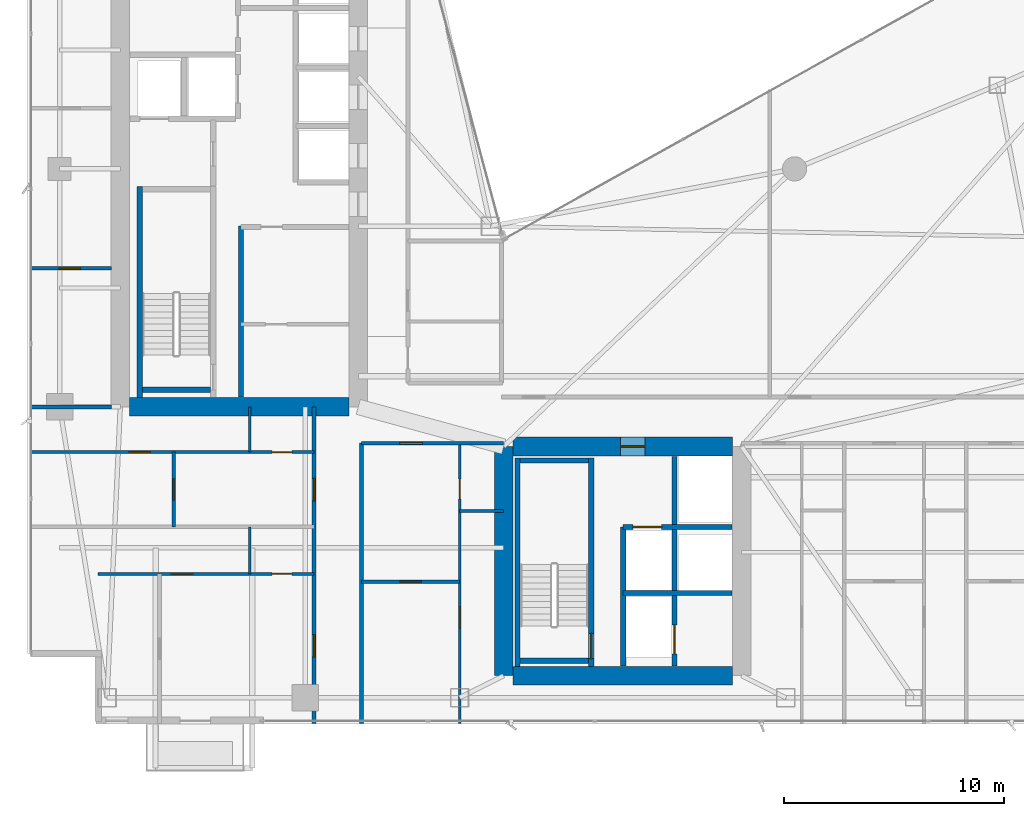
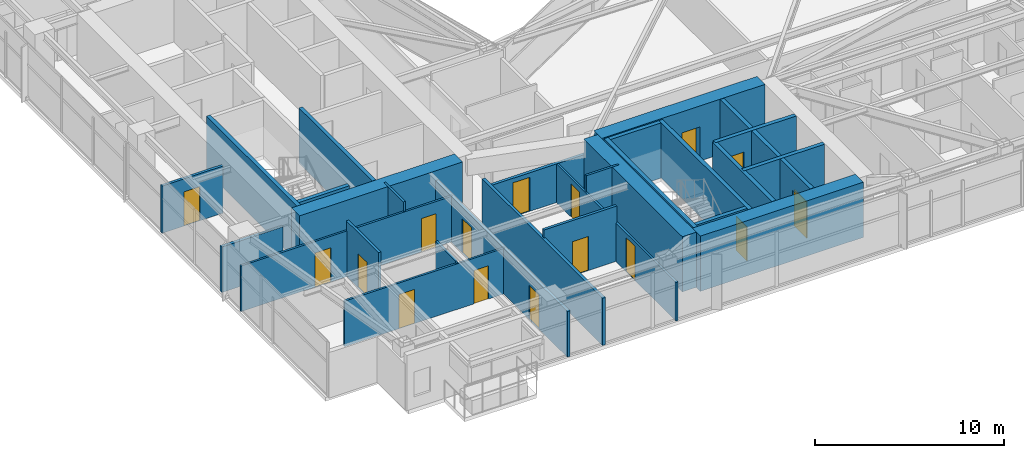
# One storey, part 22 of 29: 28 walls, 16 doors, 16 openings.
"""IFC4 building model written with IfcOpenShell, lengths in metres."""

from ifc_helpers import new_model, si_unit, direction, frame, frame_2d, origin, place, context, subcontext, project, spatial, rectangle, extrude, material, layer, layer_set, type_object, element, fill, save


model = new_model("IFC4")

# Units and contexts
model_context = context("Model", 3, precision=1e-05, world=origin(), true_north=direction((0.0, 1.0)))
body_context = subcontext(model_context, "Body", "Model", "MODEL_VIEW")
ifc_project = project(units=[si_unit("LENGTHUNIT", "METRE"), si_unit("AREAUNIT", "SQUARE_METRE"), si_unit("VOLUMEUNIT", "CUBIC_METRE"), si_unit("PLANEANGLEUNIT", "RADIAN"), si_unit("MASSUNIT", "GRAM", prefix="KILO")], contexts=[model_context])

# Site, building, storey
site_placement = place(None, origin())
site = spatial("IfcSite", under=ifc_project, at=site_placement, CompositionType="ELEMENT")
building_placement = place(site_placement, origin())
building = spatial("IfcBuilding", under=site, at=building_placement, Name="Calvorn Quay Hotel", CompositionType="ELEMENT")
storey_placement = place(building_placement, frame((0.0, 0.0, 171.300048828125)))
storey = spatial("IfcBuildingStorey", under=building, at=storey_placement, Name="L42", CompositionType="ELEMENT", Elevation=171.300048828125)

# Walls
ifc_material_1 = material(Name="Concrete C50", Category="concrete")
ifc_layer_1 = layer(ifc_material_1, 0.85009765625)
ifc_layer_set_1 = layer_set([ifc_layer_1], Name="WL-CORE-850")
wall_type_1 = type_object("IfcWallType", Name="WL-CORE-850", PredefinedType="SHEAR", material=ifc_layer_set_1)
wall_1_placement = place(storey_placement, frame((4.625, 16.800048828125, 0.0), z_axis=(0.0, 0.0, 1.0), x_axis=(1.0, 0.0, 0.0)))
element("IfcWall", 1, at=wall_1_placement, inside=storey, type_object=wall_type_1, Name="West Core Shear Wall S (L42)", PredefinedType="SHEAR", context=body_context, shape_type="SweptSolid", body=[
    extrude(rectangle(XDim=9.949951171875, YDim=0.85009765625, at=frame_2d((4.97509765625, 0.0))), origin(), (0.0, 0.0, 1.0), 3.56005859375),
])
wall_2_placement = place(storey_placement, frame((21.60009765625, 4.60009765625, 0.0), z_axis=(0.0, 0.0, 1.0), x_axis=(0.0, 1.0, 0.0)))
element("IfcWall", 2, at=wall_2_placement, inside=storey, type_object=wall_type_1, Name="East Core Shear Wall W (L42)", PredefinedType="SHEAR", context=body_context, shape_type="SweptSolid", body=[
    extrude(rectangle(XDim=10.39990234375, YDim=0.85009765625, at=frame_2d((5.199951171875, 0.0))), origin(), (0.0, 0.0, 1.0), 3.56005859375),
])

# Wall, opening, door
wall_3_placement = place(storey_placement, frame((22.02490234375, 15.0, 0.0), z_axis=(0.0, 0.0, 1.0), x_axis=(1.0, 0.0, 0.0)))
wall_3 = element("IfcWall", 3, at=wall_3_placement, inside=storey, type_object=wall_type_1, Name="East Core Shear Wall N (L42)", PredefinedType="SHEAR", context=body_context, shape_type="SweptSolid", body=[
    extrude(rectangle(XDim=9.9501953125, YDim=0.85009765625, at=frame_2d((4.97509765625, 0.0))), origin(), (0.0, 0.0, 1.0), 3.56005859375),
])
opening_1_placement = place(wall_3_placement, frame((4.8798828125, 0.0, 0.0)))
opening_1 = element("IfcOpeningElement", 4, at=opening_1_placement, cuts=wall_3, Name="Opening D-L42-FLE", PredefinedType="OPENING", context=body_context, shape_type="SweptSolid", body=[
    extrude(rectangle(XDim=1.10009765625, YDim=2.199951171875, at=frame_2d((0.550048828125, 1.10009765625))), frame((0.0, 0.43505859375, 0.0), z_axis=(0.0, -1.0, 0.0), x_axis=(1.0, 0.0, 0.0)), (0.0, 0.0, 1.0), 0.8701171875),
])
ifc_material_2 = material(Name="Smoke-Sealed Steel Class A Fire Door", Category="steel")
door_type_1 = type_object("IfcDoorType", Name="DR-FFLOBBY-1100", OperationType="NOTDEFINED", PredefinedType="DOOR", material=ifc_material_2)
door_1_placement = place(opening_1_placement, origin())
door_1 = element("IfcDoor", 5, at=door_1_placement, inside=storey, type_object=door_type_1, Name="East Firefighting Lobby Fire Door (L42)", OperationType="SINGLE_SWING_RIGHT", OverallHeight=2.199951171875, OverallWidth=1.10009765625, PredefinedType="DOOR", context=body_context, shape_type="SweptSolid", body=[
    extrude(rectangle(XDim=1.10009765625, YDim=2.199951171875, at=frame_2d((0.550048828125, 1.10009765625))), frame((0.0, 0.02490234375, 0.0), z_axis=(0.0, -1.0, 0.0), x_axis=(1.0, 0.0, 0.0)), (0.0, 0.0, 1.0), 0.050048828125),
])
fill(opening_1, door_1)

# Walls
wall_4_placement = place(storey_placement, frame((22.02490234375, 4.60009765625, 0.0), z_axis=(0.0, 0.0, 1.0), x_axis=(1.0, 0.0, 0.0)))
element("IfcWall", 6, at=wall_4_placement, inside=storey, type_object=wall_type_1, Name="East Core Shear Wall S (L42)", PredefinedType="SHEAR", context=body_context, shape_type="SweptSolid", body=[
    extrude(rectangle(XDim=9.9501953125, YDim=0.85009765625, at=frame_2d((4.97509765625, 0.0))), origin(), (0.0, 0.0, 1.0), 3.56005859375),
])
ifc_material_3 = material(Name="Acoustic Fireboard Steel-Stud Partition", Category="steel")
ifc_layer_2 = layer(ifc_material_3, 0.179931640625)
ifc_layer_set_2 = layer_set([ifc_layer_2], Name="WL-CORR-FIRE-180")
wall_type_2 = type_object("IfcWallType", Name="WL-CORR-FIRE-180", PredefinedType="PARTITIONING", material=ifc_layer_set_2)
wall_5_placement = place(storey_placement, frame((0.080078125, 16.800048828125, 0.0), z_axis=(0.0, 0.0, 1.0), x_axis=(1.0, 0.0, 0.0)))
element("IfcWall", 7, at=wall_5_placement, inside=storey, type_object=wall_type_2, Name="Partition Wall L42-WL-WBAY-S-WALL", PredefinedType="PARTITIONING", context=body_context, shape_type="SweptSolid", body=[
    extrude(rectangle(XDim=3.724853515625, YDim=0.179931640625, at=frame_2d((1.8623046875, 0.0))), origin(), (0.0, 0.0, 1.0), 2.93994140625),
])

# Wall, openings, doors
wall_6_placement = place(storey_placement, frame((13.0, 2.43994140625, 0.0), z_axis=(0.0, 0.0, 1.0), x_axis=(0.0, 1.0, 0.0)))
wall_6 = element("IfcWall", 8, at=wall_6_placement, inside=storey, type_object=wall_type_2, Name="Partition Wall L42-WL-CORR-SW-LEG-W", PredefinedType="PARTITIONING", context=body_context, shape_type="SweptSolid", body=[
    extrude(rectangle(XDim=14.360107421875, YDim=0.179931640625, at=frame_2d((7.18017578125, 0.0))), origin(), (0.0, 0.0, 1.0), 2.93994140625),
])
opening_2_placement = place(wall_6_placement, frame((3.010009765625, 0.0, 0.0)))
opening_2 = element("IfcOpeningElement", 9, at=opening_2_placement, cuts=wall_6, Name="Opening D-L42-U01", PredefinedType="OPENING", context=body_context, shape_type="SweptSolid", body=[
    extrude(rectangle(XDim=1.02001953125, YDim=2.199951171875, at=frame_2d((0.510009765625, 1.10009765625))), frame((0.0, 0.099853515625, 0.0), z_axis=(0.0, -1.0, 0.0), x_axis=(1.0, 0.0, 0.0)), (0.0, 0.0, 1.0), 0.199951171875),
])
opening_3_placement = place(wall_6_placement, frame((10.10009765625, 0.0, 0.0)))
opening_3 = element("IfcOpeningElement", 10, at=opening_3_placement, cuts=wall_6, Name="Opening D-L42-U02", PredefinedType="OPENING", context=body_context, shape_type="SweptSolid", body=[
    extrude(rectangle(XDim=1.02001953125, YDim=2.199951171875, at=frame_2d((0.510009765625, 1.10009765625))), frame((0.0, 0.099853515625, 0.0), z_axis=(0.0, -1.0, 0.0), x_axis=(1.0, 0.0, 0.0)), (0.0, 0.0, 1.0), 0.199951171875),
])
ifc_material_4 = material(Name="Solid-Core Walnut Veneer Hotel Fire Door")
door_type_2 = type_object("IfcDoorType", Name="DR-GUEST-ENTRY-1020", OperationType="NOTDEFINED", PredefinedType="DOOR", material=ifc_material_4)
door_2_placement = place(opening_2_placement, origin())
door_2 = element("IfcDoor", 11, at=door_2_placement, inside=storey, type_object=door_type_2, Name="South-West Unit Door U01 (L42)", OperationType="SINGLE_SWING_LEFT", OverallHeight=2.199951171875, OverallWidth=1.02001953125, PredefinedType="DOOR", context=body_context, shape_type="SweptSolid", body=[
    extrude(rectangle(XDim=1.02001953125, YDim=2.199951171875, at=frame_2d((0.510009765625, 1.10009765625))), frame((0.0, 0.02490234375, 0.0), z_axis=(0.0, -1.0, 0.0), x_axis=(1.0, 0.0, 0.0)), (0.0, 0.0, 1.0), 0.050048828125),
])
fill(opening_2, door_2)
door_3_placement = place(opening_3_placement, origin())
door_3 = element("IfcDoor", 12, at=door_3_placement, inside=storey, type_object=door_type_2, Name="South-West Unit Door U02 (L42)", OperationType="SINGLE_SWING_RIGHT", OverallHeight=2.199951171875, OverallWidth=1.02001953125, PredefinedType="DOOR", context=body_context, shape_type="SweptSolid", body=[
    extrude(rectangle(XDim=1.02001953125, YDim=2.199951171875, at=frame_2d((0.510009765625, 1.10009765625))), frame((0.0, 0.02490234375, 0.0), z_axis=(0.0, -1.0, 0.0), x_axis=(1.0, 0.0, 0.0)), (0.0, 0.0, 1.0), 0.050048828125),
])
fill(opening_3, door_3)

# Wall
wall_7_placement = place(storey_placement, frame((15.14990234375, 2.43994140625, 0.0), z_axis=(0.0, 0.0, 1.0), x_axis=(0.0, 1.0, 0.0)))
element("IfcWall", 13, at=wall_7_placement, inside=storey, type_object=wall_type_2, Name="Partition Wall L42-WL-CORR-SW-W", PredefinedType="PARTITIONING", context=body_context, shape_type="SweptSolid", body=[
    extrude(rectangle(XDim=12.7099609375, YDim=0.179931640625, at=frame_2d((6.35498046875, 0.0))), origin(), (0.0, 0.0, 1.0), 3.0400390625),
])

# Wall, opening, door
wall_8_placement = place(storey_placement, frame((15.14990234375, 15.14990234375, 0.0), z_axis=(0.0, 0.0, 1.0), x_axis=(1.0, 0.0, 0.0)))
wall_8 = element("IfcWall", 14, at=wall_8_placement, inside=storey, type_object=wall_type_2, Name="Partition Wall L42-WL-SC-CORR-S", PredefinedType="PARTITIONING", context=body_context, shape_type="SweptSolid", body=[
    extrude(rectangle(XDim=6.4501953125, YDim=0.179931640625, at=frame_2d((3.22509765625, 0.0))), origin(), (0.0, 0.0, 1.0), 2.489990234375),
])
opening_4_placement = place(wall_8_placement, frame((1.739990234375, 0.0, 0.0)))
opening_4 = element("IfcOpeningElement", 15, at=opening_4_placement, cuts=wall_8, Name="Opening D-L42-U03", PredefinedType="OPENING", context=body_context, shape_type="SweptSolid", body=[
    extrude(rectangle(XDim=1.02001953125, YDim=2.199951171875, at=frame_2d((0.510009765625, 1.10009765625))), frame((0.0, 0.099853515625, 0.0), z_axis=(0.0, -1.0, 0.0), x_axis=(1.0, 0.0, 0.0)), (0.0, 0.0, 1.0), 0.199951171875),
])
door_4_placement = place(opening_4_placement, origin())
door_4 = element("IfcDoor", 16, at=door_4_placement, inside=storey, type_object=door_type_2, Name="Harbour Central Unit Door (L42)", OperationType="SINGLE_SWING_LEFT", OverallHeight=2.199951171875, OverallWidth=1.02001953125, PredefinedType="DOOR", context=body_context, shape_type="SweptSolid", body=[
    extrude(rectangle(XDim=1.02001953125, YDim=2.199951171875, at=frame_2d((0.510009765625, 1.10009765625))), frame((0.0, 0.02490234375, 0.0), z_axis=(0.0, -1.0, 0.0), x_axis=(1.0, 0.0, 0.0)), (0.0, 0.0, 1.0), 0.050048828125),
])
fill(opening_4, door_4)

# Wall
ifc_material_5 = material(Name="Moisture-Resistant Tile-Backed Partition")
ifc_layer_3 = layer(ifc_material_5, 0.125)
ifc_layer_set_3 = layer_set([ifc_layer_3], Name="WL-ENSUITE-125")
wall_type_3 = type_object("IfcWallType", Name="WL-ENSUITE-125", PredefinedType="PARTITIONING", material=ifc_layer_set_3)
wall_9_placement = place(storey_placement, frame((10.080078125, 9.219970703125, 0.0), z_axis=(0.0, 0.0, 1.0), x_axis=(0.0, 1.0, 0.0)))
element("IfcWall", 17, at=wall_9_placement, inside=storey, type_object=wall_type_3, Name="Partition Wall L42-WL-U01-BDV", PredefinedType="PARTITIONING", context=body_context, shape_type="SweptSolid", body=[
    extrude(rectangle(XDim=2.130126953125, YDim=0.125, at=frame_2d((1.06494140625, 0.0))), origin(), (0.0, 0.0, 1.0), 3.08984375),
])

# Wall, openings, doors
wall_10_placement = place(storey_placement, frame((3.199951171875, 9.219970703125, 0.0), z_axis=(0.0, 0.0, 1.0), x_axis=(1.0, 0.0, 0.0)))
wall_10 = element("IfcWall", 18, at=wall_10_placement, inside=storey, type_object=wall_type_3, Name="Partition Wall L42-WL-U01-BH", PredefinedType="PARTITIONING", context=body_context, shape_type="SweptSolid", body=[
    extrude(rectangle(XDim=9.800048828125, YDim=0.125, at=frame_2d((4.89990234375, 0.0))), origin(), (0.0, 0.0, 1.0), 2.93994140625),
])
opening_5_placement = place(wall_10_placement, frame((3.320068359375, 0.0, 0.0)))
opening_5 = element("IfcOpeningElement", 19, at=opening_5_placement, cuts=wall_10, Name="Opening D-L42-S01", PredefinedType="OPENING", context=body_context, shape_type="SweptSolid", body=[
    extrude(rectangle(XDim=0.9599609375, YDim=2.199951171875, at=frame_2d((0.47998046875, 1.10009765625))), frame((0.0, 0.072509765625, 0.0), z_axis=(0.0, -1.0, 0.0), x_axis=(1.0, 0.0, 0.0)), (0.0, 0.0, 1.0), 0.14501953125),
])
opening_6_placement = place(wall_10_placement, frame((7.889892578125, 0.0, 0.0)))
opening_6 = element("IfcOpeningElement", 20, at=opening_6_placement, cuts=wall_10, Name="Opening D-L42-E01", PredefinedType="OPENING", context=body_context, shape_type="SweptSolid", body=[
    extrude(rectangle(XDim=0.89990234375, YDim=2.14990234375, at=frame_2d((0.449951171875, 1.074951171875))), frame((0.0, 0.072509765625, 0.0), z_axis=(0.0, -1.0, 0.0), x_axis=(1.0, 0.0, 0.0)), (0.0, 0.0, 1.0), 0.14501953125),
])
ifc_material_6 = material(Name="Moisture-Sealed Timber En-Suite Door", Category="wood")
door_type_3 = type_object("IfcDoorType", Name="DR-ENSUITE-900", OperationType="NOTDEFINED", PredefinedType="DOOR", material=ifc_material_6)
door_5_placement = place(opening_6_placement, origin())
door_5 = element("IfcDoor", 21, at=door_5_placement, inside=storey, type_object=door_type_3, Name="En-Suite Door 01", OperationType="SINGLE_SWING_RIGHT", OverallHeight=2.14990234375, OverallWidth=0.89990234375, PredefinedType="DOOR", context=body_context, shape_type="SweptSolid", body=[
    extrude(rectangle(XDim=0.89990234375, YDim=2.14990234375, at=frame_2d((0.449951171875, 1.074951171875))), frame((0.0, 0.02490234375, 0.0), z_axis=(0.0, -1.0, 0.0), x_axis=(1.0, 0.0, 0.0)), (0.0, 0.0, 1.0), 0.050048828125),
])
fill(opening_6, door_5)
ifc_material_7 = material(Name="Solid Timber Internal Suite Door", Category="wood")
door_type_4 = type_object("IfcDoorType", Name="DR-SUITE-INT-960", OperationType="NOTDEFINED", PredefinedType="DOOR", material=ifc_material_7)
door_6_placement = place(opening_5_placement, origin())
door_6 = element("IfcDoor", 22, at=door_6_placement, inside=storey, type_object=door_type_4, Name="Private Media Cinema Door 01", OperationType="SINGLE_SWING_LEFT", OverallHeight=2.199951171875, OverallWidth=0.9599609375, PredefinedType="DOOR", context=body_context, shape_type="SweptSolid", body=[
    extrude(rectangle(XDim=0.9599609375, YDim=2.199951171875, at=frame_2d((0.47998046875, 1.10009765625))), frame((0.0, 0.02490234375, 0.0), z_axis=(0.0, -1.0, 0.0), x_axis=(1.0, 0.0, 0.0)), (0.0, 0.0, 1.0), 0.050048828125),
])
fill(opening_5, door_6)

# Wall
wall_11_placement = place(storey_placement, frame((10.080078125, 14.75, 0.0), z_axis=(0.0, 0.0, 1.0), x_axis=(0.0, 1.0, 0.0)))
element("IfcWall", 23, at=wall_11_placement, inside=storey, type_object=wall_type_3, Name="Partition Wall L42-WL-U02-BDV", PredefinedType="PARTITIONING", context=body_context, shape_type="SweptSolid", body=[
    extrude(rectangle(XDim=2.050048828125, YDim=0.125, at=frame_2d((1.02490234375, 0.0))), origin(), (0.0, 0.0, 1.0), 3.56005859375),
])

# Wall, openings, doors
wall_12_placement = place(storey_placement, frame((0.080078125, 14.75, 0.0), z_axis=(0.0, 0.0, 1.0), x_axis=(1.0, 0.0, 0.0)))
wall_12 = element("IfcWall", 24, at=wall_12_placement, inside=storey, type_object=wall_type_3, Name="Partition Wall L42-WL-U02-BH", PredefinedType="PARTITIONING", context=body_context, shape_type="SweptSolid", body=[
    extrude(rectangle(XDim=12.919921875, YDim=0.125, at=frame_2d((6.4599609375, 0.0))), origin(), (0.0, 0.0, 1.0), 2.93994140625),
])
opening_7_placement = place(wall_12_placement, frame((4.52001953125, 0.0, 0.0)))
opening_7 = element("IfcOpeningElement", 25, at=opening_7_placement, cuts=wall_12, Name="Opening D-L42-S02", PredefinedType="OPENING", context=body_context, shape_type="SweptSolid", body=[
    extrude(rectangle(XDim=0.9599609375, YDim=2.199951171875, at=frame_2d((0.47998046875, 1.10009765625))), frame((0.0, 0.072509765625, 0.0), z_axis=(0.0, -1.0, 0.0), x_axis=(1.0, 0.0, 0.0)), (0.0, 0.0, 1.0), 0.14501953125),
])
opening_8_placement = place(wall_12_placement, frame((11.010009765625, 0.0, 0.0)))
opening_8 = element("IfcOpeningElement", 26, at=opening_8_placement, cuts=wall_12, Name="Opening D-L42-E02", PredefinedType="OPENING", context=body_context, shape_type="SweptSolid", body=[
    extrude(rectangle(XDim=0.89990234375, YDim=2.14990234375, at=frame_2d((0.449951171875, 1.074951171875))), frame((0.0, 0.072509765625, 0.0), z_axis=(0.0, -1.0, 0.0), x_axis=(1.0, 0.0, 0.0)), (0.0, 0.0, 1.0), 0.14501953125),
])
door_7_placement = place(opening_8_placement, origin())
door_7 = element("IfcDoor", 27, at=door_7_placement, inside=storey, type_object=door_type_3, Name="En-Suite Door 02", OperationType="SINGLE_SWING_RIGHT", OverallHeight=2.14990234375, OverallWidth=0.89990234375, PredefinedType="DOOR", context=body_context, shape_type="SweptSolid", body=[
    extrude(rectangle(XDim=0.89990234375, YDim=2.14990234375, at=frame_2d((0.449951171875, 1.074951171875))), frame((0.0, 0.02490234375, 0.0), z_axis=(0.0, -1.0, 0.0), x_axis=(1.0, 0.0, 0.0)), (0.0, 0.0, 1.0), 0.050048828125),
])
fill(opening_8, door_7)
door_8_placement = place(opening_7_placement, origin())
door_8 = element("IfcDoor", 28, at=door_8_placement, inside=storey, type_object=door_type_4, Name="Private Media Cinema Door 02", OperationType="SINGLE_SWING_LEFT", OverallHeight=2.199951171875, OverallWidth=0.9599609375, PredefinedType="DOOR", context=body_context, shape_type="SweptSolid", body=[
    extrude(rectangle(XDim=0.9599609375, YDim=2.199951171875, at=frame_2d((0.47998046875, 1.10009765625))), frame((0.0, 0.02490234375, 0.0), z_axis=(0.0, -1.0, 0.0), x_axis=(1.0, 0.0, 0.0)), (0.0, 0.0, 1.0), 0.050048828125),
])
fill(opening_7, door_8)

# Wall
wall_13_placement = place(storey_placement, frame((19.60009765625, 12.070068359375, 0.0), z_axis=(0.0, 0.0, 1.0), x_axis=(1.0, 0.0, 0.0)))
element("IfcWall", 29, at=wall_13_placement, inside=storey, type_object=wall_type_3, Name="Partition Wall L42-WL-U03-BDV", PredefinedType="PARTITIONING", context=body_context, shape_type="SweptSolid", body=[
    extrude(rectangle(XDim=2.0, YDim=0.125, at=frame_2d((1.0, 0.0))), origin(), (0.0, 0.0, 1.0), 3.56005859375),
])

# Wall, openings, doors
wall_14_placement = place(storey_placement, frame((19.60009765625, 2.43994140625, 0.0), z_axis=(0.0, 0.0, 1.0), x_axis=(0.0, 1.0, 0.0)))
wall_14 = element("IfcWall", 30, at=wall_14_placement, inside=storey, type_object=wall_type_3, Name="Partition Wall L42-WL-U03-BV", PredefinedType="PARTITIONING", context=body_context, shape_type="SweptSolid", body=[
    extrude(rectangle(XDim=12.7099609375, YDim=0.125, at=frame_2d((6.35498046875, 0.0))), origin(), (0.0, 0.0, 1.0), 2.489990234375),
])
opening_9_placement = place(wall_14_placement, frame((4.340087890625, 0.0, 0.0)))
opening_9 = element("IfcOpeningElement", 31, at=opening_9_placement, cuts=wall_14, Name="Opening D-L42-S03", PredefinedType="OPENING", context=body_context, shape_type="SweptSolid", body=[
    extrude(rectangle(XDim=0.9599609375, YDim=2.199951171875, at=frame_2d((0.47998046875, 1.10009765625))), frame((0.0, 0.072509765625, 0.0), z_axis=(0.0, -1.0, 0.0), x_axis=(1.0, 0.0, 0.0)), (0.0, 0.0, 1.0), 0.14501953125),
])
opening_10_placement = place(wall_14_placement, frame((10.179931640625, 0.0, 0.0)))
opening_10 = element("IfcOpeningElement", 32, at=opening_10_placement, cuts=wall_14, Name="Opening D-L42-E03", PredefinedType="OPENING", context=body_context, shape_type="SweptSolid", body=[
    extrude(rectangle(XDim=0.89990234375, YDim=2.14990234375, at=frame_2d((0.449951171875, 1.074951171875))), frame((0.0, 0.072509765625, 0.0), z_axis=(0.0, -1.0, 0.0), x_axis=(1.0, 0.0, 0.0)), (0.0, 0.0, 1.0), 0.14501953125),
])
door_9_placement = place(opening_10_placement, origin())
door_9 = element("IfcDoor", 33, at=door_9_placement, inside=storey, type_object=door_type_3, Name="En-Suite Door 03", OperationType="SINGLE_SWING_RIGHT", OverallHeight=2.14990234375, OverallWidth=0.89990234375, PredefinedType="DOOR", context=body_context, shape_type="SweptSolid", body=[
    extrude(rectangle(XDim=0.89990234375, YDim=2.14990234375, at=frame_2d((0.449951171875, 1.074951171875))), frame((0.0, 0.02490234375, 0.0), z_axis=(0.0, -1.0, 0.0), x_axis=(1.0, 0.0, 0.0)), (0.0, 0.0, 1.0), 0.050048828125),
])
fill(opening_10, door_9)
door_10_placement = place(opening_9_placement, origin())
door_10 = element("IfcDoor", 34, at=door_10_placement, inside=storey, type_object=door_type_4, Name="Private Media Cinema Door 03", OperationType="SINGLE_SWING_LEFT", OverallHeight=2.199951171875, OverallWidth=0.9599609375, PredefinedType="DOOR", context=body_context, shape_type="SweptSolid", body=[
    extrude(rectangle(XDim=0.9599609375, YDim=2.199951171875, at=frame_2d((0.47998046875, 1.10009765625))), frame((0.0, 0.02490234375, 0.0), z_axis=(0.0, -1.0, 0.0), x_axis=(1.0, 0.0, 0.0)), (0.0, 0.0, 1.0), 0.050048828125),
])
fill(opening_9, door_10)

# Wall, opening, door
ifc_material_8 = material(Name="Double-Stud Acoustic Gypsum Partition")
ifc_layer_4 = layer(ifc_material_8, 0.159912109375)
ifc_layer_set_4 = layer_set([ifc_layer_4], Name="WL-INTERSUITE-160")
wall_type_4 = type_object("IfcWallType", Name="WL-INTERSUITE-160", PredefinedType="PARTITIONING", material=ifc_layer_set_4)
wall_15_placement = place(storey_placement, frame((0.080078125, 23.10009765625, 0.0), z_axis=(0.0, 0.0, 1.0), x_axis=(1.0, 0.0, 0.0)))
wall_15 = element("IfcWall", 35, at=wall_15_placement, inside=storey, type_object=wall_type_4, Name="Partition Wall L42-WL-WBAY-DIVA", PredefinedType="PARTITIONING", context=body_context, shape_type="SweptSolid", body=[
    extrude(rectangle(XDim=3.724853515625, YDim=0.159912109375, at=frame_2d((1.8623046875, 0.0))), origin(), (0.0, 0.0, 1.0), 3.0400390625),
])
opening_11_placement = place(wall_15_placement, frame((1.35009765625, 0.0, 0.0)))
opening_11 = element("IfcOpeningElement", 36, at=opening_11_placement, cuts=wall_15, Name="Opening D-L42-WBA", PredefinedType="OPENING", context=body_context, shape_type="SweptSolid", body=[
    extrude(rectangle(XDim=0.9599609375, YDim=2.199951171875, at=frame_2d((0.47998046875, 1.10009765625))), frame((0.0, 0.08984375, 0.0), z_axis=(0.0, -1.0, 0.0), x_axis=(1.0, 0.0, 0.0)), (0.0, 0.0, 1.0), 0.179931640625),
])
door_11_placement = place(opening_11_placement, origin())
door_11 = element("IfcDoor", 37, at=door_11_placement, inside=storey, type_object=door_type_4, Name="West South Connecting Door (L42)", OperationType="SINGLE_SWING_LEFT", OverallHeight=2.199951171875, OverallWidth=0.9599609375, PredefinedType="DOOR", context=body_context, shape_type="SweptSolid", body=[
    extrude(rectangle(XDim=0.9599609375, YDim=2.199951171875, at=frame_2d((0.47998046875, 1.10009765625))), frame((0.0, 0.02490234375, 0.0), z_axis=(0.0, -1.0, 0.0), x_axis=(1.0, 0.0, 0.0)), (0.0, 0.0, 1.0), 0.050048828125),
])
fill(opening_11, door_11)

wall_16_placement = place(storey_placement, frame((6.6201171875, 11.35009765625, 0.0), z_axis=(0.0, 0.0, 1.0), x_axis=(0.0, 1.0, 0.0)))
wall_16 = element("IfcWall", 38, at=wall_16_placement, inside=storey, type_object=wall_type_4, Name="Partition Wall L42-WL-U02-MSP", PredefinedType="PARTITIONING", context=body_context, shape_type="SweptSolid", body=[
    extrude(rectangle(XDim=3.39990234375, YDim=0.159912109375, at=frame_2d((1.699951171875, 0.0))), origin(), (0.0, 0.0, 1.0), 3.56005859375),
])
opening_12_placement = place(wall_16_placement, frame((1.219970703125, 0.0, 0.0)))
opening_12 = element("IfcOpeningElement", 39, at=opening_12_placement, cuts=wall_16, Name="Opening D-L42-M02", PredefinedType="OPENING", context=body_context, shape_type="SweptSolid", body=[
    extrude(rectangle(XDim=0.9599609375, YDim=2.199951171875, at=frame_2d((0.47998046875, 1.10009765625))), frame((0.0, 0.08984375, 0.0), z_axis=(0.0, -1.0, 0.0), x_axis=(1.0, 0.0, 0.0)), (0.0, 0.0, 1.0), 0.179931640625),
])
door_12_placement = place(opening_12_placement, origin())
door_12 = element("IfcDoor", 40, at=door_12_placement, inside=storey, type_object=door_type_4, Name="Suite Bedroom Door 02", OperationType="SINGLE_SWING_LEFT", OverallHeight=2.199951171875, OverallWidth=0.9599609375, PredefinedType="DOOR", context=body_context, shape_type="SweptSolid", body=[
    extrude(rectangle(XDim=0.9599609375, YDim=2.199951171875, at=frame_2d((0.47998046875, 1.10009765625))), frame((0.0, 0.02490234375, 0.0), z_axis=(0.0, -1.0, 0.0), x_axis=(1.0, 0.0, 0.0)), (0.0, 0.0, 1.0), 0.050048828125),
])
fill(opening_12, door_12)

wall_17_placement = place(storey_placement, frame((15.14990234375, 8.8701171875, 0.0), z_axis=(0.0, 0.0, 1.0), x_axis=(1.0, 0.0, 0.0)))
wall_17 = element("IfcWall", 41, at=wall_17_placement, inside=storey, type_object=wall_type_4, Name="Partition Wall L42-WL-U03-MSP", PredefinedType="PARTITIONING", context=body_context, shape_type="SweptSolid", body=[
    extrude(rectangle(XDim=4.4501953125, YDim=0.159912109375, at=frame_2d((2.22509765625, 0.0))), origin(), (0.0, 0.0, 1.0), 3.56005859375),
])
opening_13_placement = place(wall_17_placement, frame((1.75, 0.0, 0.0)))
opening_13 = element("IfcOpeningElement", 42, at=opening_13_placement, cuts=wall_17, Name="Opening D-L42-M03", PredefinedType="OPENING", context=body_context, shape_type="SweptSolid", body=[
    extrude(rectangle(XDim=0.9599609375, YDim=2.199951171875, at=frame_2d((0.47998046875, 1.10009765625))), frame((0.0, 0.08984375, 0.0), z_axis=(0.0, -1.0, 0.0), x_axis=(1.0, 0.0, 0.0)), (0.0, 0.0, 1.0), 0.179931640625),
])
door_13_placement = place(opening_13_placement, origin())
door_13 = element("IfcDoor", 43, at=door_13_placement, inside=storey, type_object=door_type_4, Name="Suite Bedroom Door 03", OperationType="SINGLE_SWING_LEFT", OverallHeight=2.199951171875, OverallWidth=0.9599609375, PredefinedType="DOOR", context=body_context, shape_type="SweptSolid", body=[
    extrude(rectangle(XDim=0.9599609375, YDim=2.199951171875, at=frame_2d((0.47998046875, 1.10009765625))), frame((0.0, 0.02490234375, 0.0), z_axis=(0.0, -1.0, 0.0), x_axis=(1.0, 0.0, 0.0)), (0.0, 0.0, 1.0), 0.050048828125),
])
fill(opening_13, door_13)

# Walls
ifc_material_9 = material(Name="Autoclaved Aerated Masonry Block", Category="masonry")
ifc_layer_5 = layer(ifc_material_9, 0.219970703125)
ifc_layer_set_5 = layer_set([ifc_layer_5], Name="WL-LOBBY-FIRE-220")
wall_type_5 = type_object("IfcWallType", Name="WL-LOBBY-FIRE-220", PredefinedType="SOLIDWALL", material=ifc_layer_set_5)
wall_18_placement = place(storey_placement, frame((9.679931640625, 17.2451171875, 0.0), z_axis=(0.0, 0.0, 1.0), x_axis=(0.0, 1.0, 0.0)))
element("IfcWall", 44, at=wall_18_placement, inside=storey, type_object=wall_type_5, Name="Partition Wall L42-WL-CWW-STW-HALL-E", PredefinedType="SOLIDWALL", context=body_context, shape_type="SweptSolid", body=[
    extrude(rectangle(XDim=7.7548828125, YDim=0.219970703125, at=frame_2d((3.87744140625, 0.0))), origin(), (0.0, 0.0, 1.0), 3.56005859375),
])
ifc_material_10 = material(Name="Concrete C40", Category="concrete")
ifc_layer_6 = layer(ifc_material_10, 0.239990234375)
ifc_layer_set_6 = layer_set([ifc_layer_6], Name="WL-SHAFT-240")
wall_type_6 = type_object("IfcWallType", Name="WL-SHAFT-240", PredefinedType="SOLIDWALL", material=ifc_layer_set_6)
wall_19_placement = place(storey_placement, frame((5.080078125, 17.22509765625, 0.0), z_axis=(0.0, 0.0, 1.0), x_axis=(0.0, 1.0, 0.0)))
element("IfcWall", 45, at=wall_19_placement, inside=storey, type_object=wall_type_6, Name="Stair STW Shaft Wall W (L42)", PredefinedType="SOLIDWALL", context=body_context, shape_type="SweptSolid", body=[
    extrude(rectangle(XDim=9.56494140625, YDim=0.239990234375, at=frame_2d((4.782470703125, 0.0))), origin(), (0.0, 0.0, 1.0), 3.56005859375),
])
wall_20_placement = place(storey_placement, frame((5.199951171875, 17.580078125, 0.0), z_axis=(0.0, 0.0, 1.0), x_axis=(1.0, 0.0, 0.0)))
element("IfcWall", 46, at=wall_20_placement, inside=storey, type_object=wall_type_6, Name="Stair STW Shaft Wall S (L42)", PredefinedType="SOLIDWALL", context=body_context, shape_type="SweptSolid", body=[
    extrude(rectangle(XDim=3.10009765625, YDim=0.239990234375, at=frame_2d((1.550048828125, 0.0))), origin(), (0.0, 0.0, 1.0), 3.56005859375),
])
wall_21_placement = place(storey_placement, frame((22.22998046875, 5.02490234375, 0.0), z_axis=(0.0, 0.0, 1.0), x_axis=(0.0, 1.0, 0.0)))
element("IfcWall", 47, at=wall_21_placement, inside=storey, type_object=wall_type_6, Name="Stair STE Shaft Wall W (L42)", PredefinedType="SOLIDWALL", context=body_context, shape_type="SweptSolid", body=[
    extrude(rectangle(XDim=9.465087890625, YDim=0.239990234375, at=frame_2d((4.732421875, 0.0))), origin(), (0.0, 0.0, 1.0), 3.56005859375),
])

# Wall, opening, door
wall_22_placement = place(storey_placement, frame((25.570068359375, 5.02490234375, 0.0), z_axis=(0.0, 0.0, 1.0), x_axis=(0.0, 1.0, 0.0)))
wall_22 = element("IfcWall", 48, at=wall_22_placement, inside=storey, type_object=wall_type_6, Name="Stair STE Shaft Wall E (L42)", PredefinedType="SOLIDWALL", context=body_context, shape_type="SweptSolid", body=[
    extrude(rectangle(XDim=9.465087890625, YDim=0.239990234375, at=frame_2d((4.732421875, 0.0))), origin(), (0.0, 0.0, 1.0), 3.56005859375),
])
opening_14_placement = place(wall_22_placement, frame((0.35009765625, 0.0, 0.0)))
opening_14 = element("IfcOpeningElement", 49, at=opening_14_placement, cuts=wall_22, Name="Opening D-L42-STE", PredefinedType="OPENING", context=body_context, shape_type="SweptSolid", body=[
    extrude(rectangle(XDim=1.14990234375, YDim=2.199951171875, at=frame_2d((0.574951171875, 1.10009765625))), frame((0.0, 0.1298828125, 0.0), z_axis=(0.0, -1.0, 0.0), x_axis=(1.0, 0.0, 0.0)), (0.0, 0.0, 1.0), 0.260009765625),
])
ifc_material_11 = material(Name="Galvanised Steel Class A Fire Door", Category="steel")
door_type_5 = type_object("IfcDoorType", Name="DR-STAIR-SMOKE-1150", OperationType="NOTDEFINED", PredefinedType="DOOR", material=ifc_material_11)
door_14_placement = place(opening_14_placement, origin())
door_14 = element("IfcDoor", 50, at=door_14_placement, inside=storey, type_object=door_type_5, Name="Stair ST-E Fire Door (L42)", OperationType="SINGLE_SWING_RIGHT", OverallHeight=2.199951171875, OverallWidth=1.14990234375, PredefinedType="DOOR", context=body_context, shape_type="SweptSolid", body=[
    extrude(rectangle(XDim=1.14990234375, YDim=2.199951171875, at=frame_2d((0.574951171875, 1.10009765625))), frame((0.0, 0.02490234375, 0.0), z_axis=(0.0, -1.0, 0.0), x_axis=(1.0, 0.0, 0.0)), (0.0, 0.0, 1.0), 0.050048828125),
])
fill(opening_14, door_14)

# Walls
for number, where, z_axis, x_axis, name in (
    (51, (22.35009765625, 5.280029296875, 0.0), (0.0, 0.0, 1.0), (1.0, 0.0, 0.0), "Stair STE Shaft Wall S (L42)"),
    (52, (22.35009765625, 14.3701171875, 0.0), (0.0, 0.0, 1.0), (1.0, 0.0, 0.0), "Stair STE Shaft Wall N (L42)"),
):
    element("IfcWall", number, at=place(storey_placement, frame(where, z_axis=z_axis, x_axis=x_axis)), inside=storey, type_object=wall_type_6, Name=name, PredefinedType="SOLIDWALL", context=body_context, shape_type="SweptSolid", body=[
        extrude(rectangle(XDim=3.099853515625, YDim=0.239990234375, at=frame_2d((1.5498046875, 0.0))), origin(), (0.0, 0.0, 1.0), 3.56005859375),
    ])
wall_23_placement = place(storey_placement, frame((27.02001953125, 5.044921875, 0.0), z_axis=(0.0, 0.0, 1.0), x_axis=(0.0, 1.0, 0.0)))
element("IfcWall", 53, at=wall_23_placement, inside=storey, type_object=wall_type_6, Name="Partition Wall L42-WL-CWE-SH-W", PredefinedType="SOLIDWALL", context=body_context, shape_type="SweptSolid", body=[
    extrude(rectangle(XDim=6.30517578125, YDim=0.239990234375, at=frame_2d((3.152587890625, 0.0))), origin(), (0.0, 0.0, 1.0), 3.56005859375),
])

# Wall, opening, door
wall_24_placement = place(storey_placement, frame((27.02001953125, 11.35009765625, 0.0), z_axis=(0.0, 0.0, 1.0), x_axis=(1.0, 0.0, 0.0)))
wall_24 = element("IfcWall", 54, at=wall_24_placement, inside=storey, type_object=wall_type_6, Name="Partition Wall L42-WL-CWE-FFL-S", PredefinedType="SOLIDWALL", context=body_context, shape_type="SweptSolid", body=[
    extrude(rectangle(XDim=4.93505859375, YDim=0.239990234375, at=frame_2d((2.467529296875, 0.0))), origin(), (0.0, 0.0, 1.0), 3.56005859375),
])
opening_15_placement = place(wall_24_placement, frame((0.449951171875, 0.0, 0.0)))
opening_15 = element("IfcOpeningElement", 55, at=opening_15_placement, cuts=wall_24, Name="Opening LD-L42-FLE1", PredefinedType="OPENING", context=body_context, shape_type="SweptSolid", body=[
    extrude(rectangle(XDim=1.300048828125, YDim=2.35009765625, at=frame_2d((0.64990234375, 1.175048828125))), frame((0.0, 0.1298828125, 0.0), z_axis=(0.0, -1.0, 0.0), x_axis=(1.0, 0.0, 0.0)), (0.0, 0.0, 1.0), 0.260009765625),
])
ifc_material_12 = material(Name="Champagne-Bronze Sliding Express Lift Landing Door")
door_type_6 = type_object("IfcDoorType", Name="DR-LIFT-SHUTTLE-1300", OperationType="NOTDEFINED", PredefinedType="DOOR", material=ifc_material_12)
door_15_placement = place(opening_15_placement, origin())
door_15 = element("IfcDoor", 56, at=door_15_placement, inside=storey, type_object=door_type_6, Name="Firefighting Lift FL-E1 Landing Door (L42)", OperationType="DOUBLE_DOOR_SLIDING", OverallHeight=2.35009765625, OverallWidth=1.300048828125, PredefinedType="DOOR", context=body_context, shape_type="SweptSolid", body=[
    extrude(rectangle(XDim=1.300048828125, YDim=2.35009765625, at=frame_2d((0.64990234375, 1.175048828125))), frame((0.0, 0.02490234375, 0.0), z_axis=(0.0, -1.0, 0.0), x_axis=(1.0, 0.0, 0.0)), (0.0, 0.0, 1.0), 0.050048828125),
])
fill(opening_15, door_15)

# Wall
wall_25_placement = place(storey_placement, frame((27.02001953125, 8.35009765625, 0.0), z_axis=(0.0, 0.0, 1.0), x_axis=(1.0, 0.0, 0.0)))
element("IfcWall", 57, at=wall_25_placement, inside=storey, type_object=wall_type_6, Name="Partition Wall L42-WL-CWE-SL-N", PredefinedType="SOLIDWALL", context=body_context, shape_type="SweptSolid", body=[
    extrude(rectangle(XDim=4.93505859375, YDim=0.239990234375, at=frame_2d((2.467529296875, 0.0))), origin(), (0.0, 0.0, 1.0), 3.56005859375),
])

# Wall, opening, door
wall_26_placement = place(storey_placement, frame((29.35009765625, 5.044921875, 0.0), z_axis=(0.0, 0.0, 1.0), x_axis=(0.0, 1.0, 0.0)))
wall_26 = element("IfcWall", 58, at=wall_26_placement, inside=storey, type_object=wall_type_6, Name="Partition Wall L42-WL-CWE-OB-W", PredefinedType="SOLIDWALL", context=body_context, shape_type="SweptSolid", body=[
    extrude(rectangle(XDim=9.510009765625, YDim=0.239990234375, at=frame_2d((4.7548828125, 0.0))), origin(), (0.0, 0.0, 1.0), 3.56005859375),
])
opening_16_placement = place(wall_26_placement, frame((0.550048828125, 0.0, 0.0)))
opening_16 = element("IfcOpeningElement", 59, at=opening_16_placement, cuts=wall_26, Name="Opening LD-L42-SLEI", PredefinedType="OPENING", context=body_context, shape_type="SweptSolid", body=[
    extrude(rectangle(XDim=1.300048828125, YDim=2.35009765625, at=frame_2d((0.64990234375, 1.175048828125))), frame((0.0, 0.1298828125, 0.0), z_axis=(0.0, -1.0, 0.0), x_axis=(1.0, 0.0, 0.0)), (0.0, 0.0, 1.0), 0.260009765625),
])
door_16_placement = place(opening_16_placement, origin())
door_16 = element("IfcDoor", 60, at=door_16_placement, inside=storey, type_object=door_type_6, Name="Service Lift SL-E1 Landing Door (L42)", OperationType="DOUBLE_DOOR_SLIDING", OverallHeight=2.35009765625, OverallWidth=1.300048828125, PredefinedType="DOOR", context=body_context, shape_type="SweptSolid", body=[
    extrude(rectangle(XDim=1.300048828125, YDim=2.35009765625, at=frame_2d((0.64990234375, 1.175048828125))), frame((0.0, 0.02490234375, 0.0), z_axis=(0.0, -1.0, 0.0), x_axis=(1.0, 0.0, 0.0)), (0.0, 0.0, 1.0), 0.050048828125),
])
fill(opening_16, door_16)

save(model, "model.ifc")
